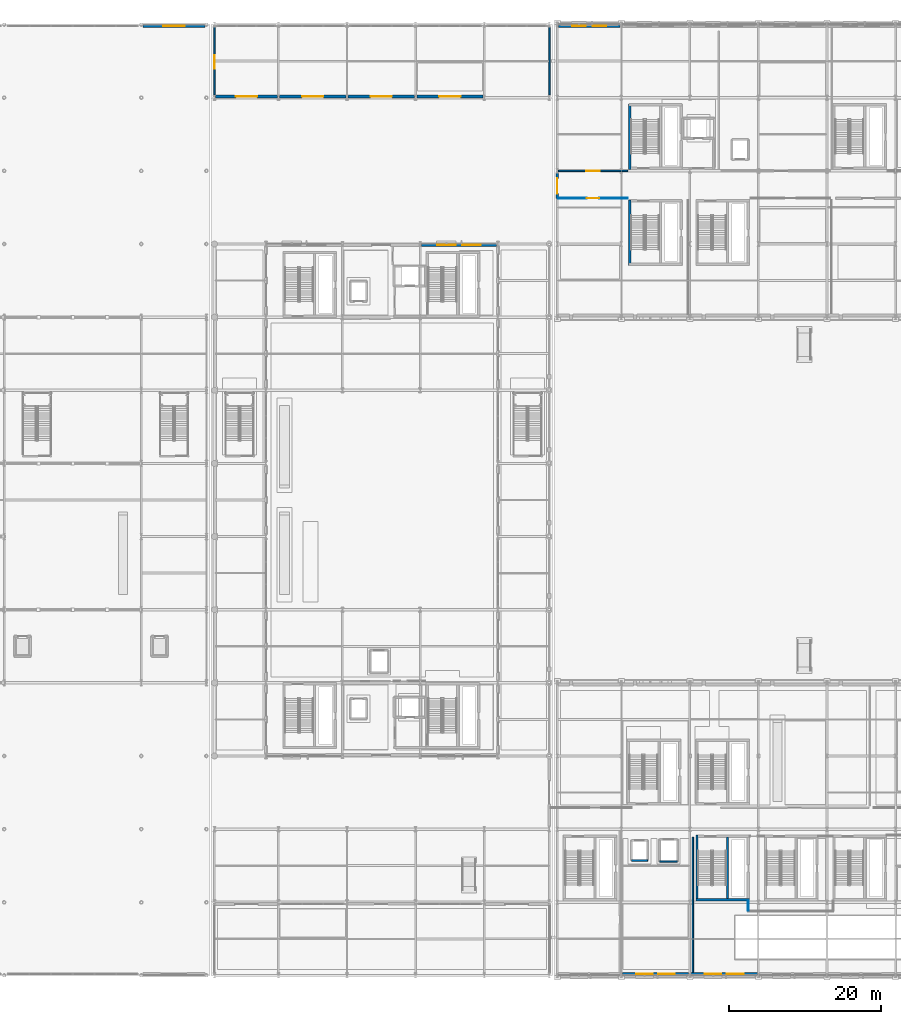
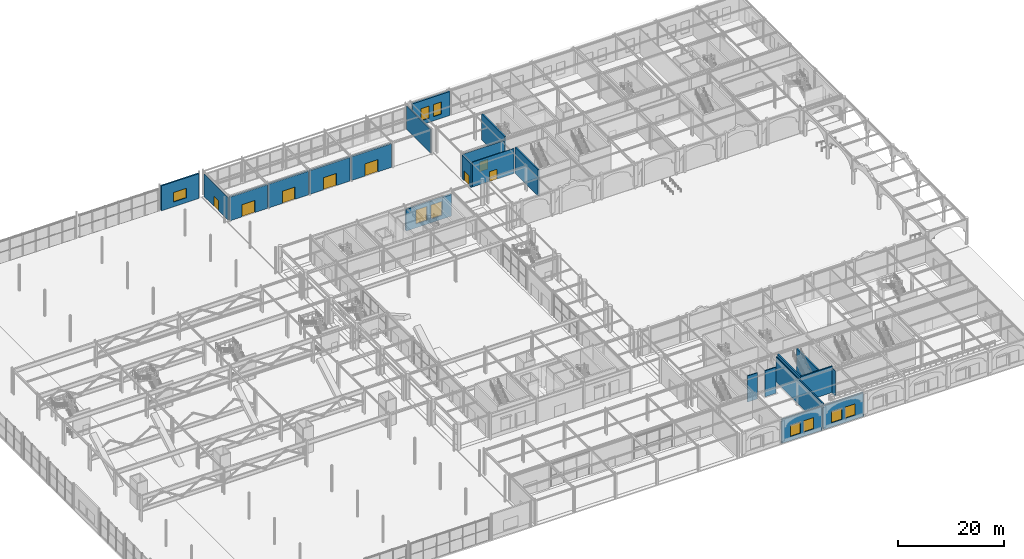
# One storey, part 64 of 113: 23 walls, 9 windows, 8 doors, 17 openings.
"""IFC4 building model written with IfcOpenShell, lengths in metres."""

from ifc_helpers import new_model, si_unit, direction, frame, frame_2d, origin, place, context, subcontext, project, spatial, rectangle, extrude, material, layer, layer_set, type_object, element, fill, save


model = new_model("IFC4")

# Units and contexts
model_context = context("Model", 3, precision=1e-05, world=origin(), true_north=direction((0.0, 1.0)))
body_context = subcontext(model_context, "Body", "Model", "MODEL_VIEW")
ifc_project = project(units=[si_unit("LENGTHUNIT", "METRE"), si_unit("AREAUNIT", "SQUARE_METRE"), si_unit("VOLUMEUNIT", "CUBIC_METRE"), si_unit("PLANEANGLEUNIT", "RADIAN"), si_unit("MASSUNIT", "GRAM", prefix="KILO")], contexts=[model_context])

# Site, building, storey
site_placement = place(None, origin())
site = spatial("IfcSite", under=ifc_project, at=site_placement, CompositionType="ELEMENT")
building_placement = place(site_placement, origin())
building = spatial("IfcBuilding", under=site, at=building_placement, Name="Myrtia Square Station", CompositionType="ELEMENT")
storey_placement = place(building_placement, origin())
storey = spatial("IfcBuildingStorey", under=building, at=storey_placement, Name="L00", CompositionType="ELEMENT", Elevation=0.0)

# Walls
ifc_material_1 = material(Name="Concrete C35/45", Category="concrete")
ifc_layer_1 = layer(ifc_material_1, 0.300048828125, Name="Concrete C35/45")
ifc_layer_set_1 = layer_set([ifc_layer_1], Name="Concrete C35/45")
wall_type_1 = type_object("IfcWallType", Name="WL-CORE-300", PredefinedType="SHEAR", material=ifc_layer_set_1)
wall_1_placement = place(storey_placement, frame((135.800048828125, 9.925048828125, 0.0), z_axis=(0.0, 0.0, 1.0), x_axis=(1.0, 0.0, 0.0)))
element("IfcWall", 1, at=wall_1_placement, inside=storey, type_object=wall_type_1, Name="Core K6 shear wall L00 S", PredefinedType="SHEAR", context=body_context, shape_type="SweptSolid", body=[
    extrude(rectangle(XDim=7.0, YDim=0.300048828125, at=frame_2d((3.5, 0.0))), origin(), (0.0, 0.0, 1.0), 6.0),
])
wall_2_placement = place(storey_placement, frame((135.925048828125, 9.800048828125, 0.0), z_axis=(0.0, 0.0, 1.0), x_axis=(0.0, 1.0, 0.0)))
element("IfcWall", 2, at=wall_2_placement, inside=storey, type_object=wall_type_1, Name="Core K6 shear wall L00 W", PredefinedType="SHEAR", context=body_context, shape_type="SweptSolid", body=[
    extrude(rectangle(XDim=8.599853515625, YDim=0.300048828125, at=frame_2d((4.2998046875, 0.0))), origin(), (0.0, 0.0, 1.0), 6.0),
])
wall_3_placement = place(storey_placement, frame((139.93994140625, 10.0, 0.0), z_axis=(0.0, 0.0, 1.0), x_axis=(0.0, 1.0, 0.0)))
element("IfcWall", 3, at=wall_3_placement, inside=storey, type_object=wall_type_1, Name="Core K6 shear wall L00 D", PredefinedType="SHEAR", context=body_context, shape_type="SweptSolid", body=[
    extrude(rectangle(XDim=8.199951171875, YDim=0.300048828125, at=frame_2d((4.10009765625, 0.0))), origin(), (0.0, 0.0, 1.0), 6.0),
])
wall_4_placement = place(storey_placement, frame((127.125, 105.800048828125, 0.0), z_axis=(0.0, 0.0, 1.0), x_axis=(0.0, 1.0, 0.0)))
element("IfcWall", 4, at=wall_4_placement, inside=storey, type_object=wall_type_1, Name="Core K7 shear wall L00 W", PredefinedType="SHEAR", context=body_context, shape_type="SweptSolid", body=[
    extrude(rectangle(XDim=8.599853515625, YDim=0.300048828125, at=frame_2d((4.2998046875, 0.0))), origin(), (0.0, 0.0, 1.0), 6.0),
])
wall_5_placement = place(storey_placement, frame((127.125, 93.199951171875, 0.0), z_axis=(0.0, 0.0, 1.0), x_axis=(0.0, 1.0, 0.0)))
element("IfcWall", 5, at=wall_5_placement, inside=storey, type_object=wall_type_1, Name="Core K12 shear wall L00 W", PredefinedType="SHEAR", context=body_context, shape_type="SweptSolid", body=[
    extrude(rectangle(XDim=8.60009765625, YDim=0.300048828125, at=frame_2d((4.300048828125, 0.0))), origin(), (0.0, 0.0, 1.0), 6.0),
])

# Wall, opening, door
ifc_material_2 = material(Name="Pentelic marble ashlar", Category="masonry")
ifc_layer_2 = layer(ifc_material_2, 0.3798828125, Name="Pentelic marble ashlar")
ifc_layer_set_2 = layer_set([ifc_layer_2], Name="Pentelic marble ashlar")
wall_type_2 = type_object("IfcWallType", Name="WL-EXT-ASHLAR-380", PredefinedType="SOLIDWALL", material=ifc_layer_set_2)
wall_6_placement = place(storey_placement, frame((72.7548828125, 115.35009765625, 0.0), z_axis=(0.0, 0.0, 1.0), x_axis=(1.0, 0.0, 0.0)))
wall_6 = element("IfcWall", 6, at=wall_6_placement, inside=storey, type_object=wall_type_2, Name="Exterior envelope wall EW-L00-0140", PredefinedType="SOLIDWALL", context=body_context, shape_type="SweptSolid", body=[
    extrude(rectangle(XDim=8.090087890625, YDim=0.3798828125, at=frame_2d((4.044921875, 0.0))), origin(), (0.0, 0.0, 1.0), 5.43505859375),
])
opening_1_placement = place(wall_6_placement, frame((2.64501953125, 0.0, 0.0)))
opening_1 = element("IfcOpeningElement", 7, at=opening_1_placement, cuts=wall_6, Name="Opening ED-035", PredefinedType="OPENING", context=body_context, shape_type="SweptSolid", body=[
    extrude(rectangle(XDim=2.800048828125, YDim=2.800048828125, at=frame_2d((1.39990234375, 1.39990234375))), frame((0.0, 0.204833984375, 0.0), z_axis=(0.0, -1.0, 0.0), x_axis=(1.0, 0.0, 0.0)), (0.0, 0.0, 1.0), 0.409912109375),
])
ifc_material_3 = material(Name="Dark bronze anodised aluminium", Category="aluminium")
door_type_1 = type_object("IfcDoorType", Name="DR-MAIN-2800x2800", OperationType="NOTDEFINED", PredefinedType="DOOR", material=ifc_material_3)
door_1_placement = place(opening_1_placement, frame((2.800048828125, 0.0, 0.0), z_axis=(0.0, 0.0, 1.0), x_axis=(-1.0, 0.0, 0.0)))
door_1 = element("IfcDoor", 8, at=door_1_placement, inside=storey, type_object=door_type_1, Name="Pedestrian exit door ED-035", OperationType="DOUBLE_DOOR_SINGLE_SWING", OverallHeight=2.800048828125, OverallWidth=2.800048828125, PredefinedType="DOOR", context=body_context, shape_type="SweptSolid", body=[
    extrude(rectangle(XDim=2.800048828125, YDim=2.800048828125, at=frame_2d((1.39990234375, 1.39990234375))), frame((0.0, 0.02490234375, 0.0), z_axis=(0.0, -1.0, 0.0), x_axis=(1.0, 0.0, 0.0)), (0.0, 0.0, 1.0), 0.050048828125),
])
fill(opening_1, door_1)

wall_7_placement = place(storey_placement, frame((81.155029296875, 115.35009765625, 0.0), z_axis=(0.0, 0.0, 1.0), x_axis=(1.0, 0.0, 0.0)))
wall_7 = element("IfcWall", 9, at=wall_7_placement, inside=storey, type_object=wall_type_2, Name="Exterior envelope wall EW-L00-0141", PredefinedType="SOLIDWALL", context=body_context, shape_type="SweptSolid", body=[
    extrude(rectangle(XDim=8.68994140625, YDim=0.3798828125, at=frame_2d((4.344970703125, 0.0))), origin(), (0.0, 0.0, 1.0), 5.43505859375),
])
opening_2_placement = place(wall_7_placement, frame((2.945068359375, 0.0, 0.0)))
opening_2 = element("IfcOpeningElement", 10, at=opening_2_placement, cuts=wall_7, Name="Opening ED-036", PredefinedType="OPENING", context=body_context, shape_type="SweptSolid", body=[
    extrude(rectangle(XDim=2.800048828125, YDim=2.800048828125, at=frame_2d((1.39990234375, 1.39990234375))), frame((0.0, 0.204833984375, 0.0), z_axis=(0.0, -1.0, 0.0), x_axis=(1.0, 0.0, 0.0)), (0.0, 0.0, 1.0), 0.409912109375),
])
door_2_placement = place(opening_2_placement, frame((2.800048828125, 0.0, 0.0), z_axis=(0.0, 0.0, 1.0), x_axis=(-1.0, 0.0, 0.0)))
door_2 = element("IfcDoor", 11, at=door_2_placement, inside=storey, type_object=door_type_1, Name="Pedestrian exit door ED-036", OperationType="DOUBLE_DOOR_SINGLE_SWING", OverallHeight=2.800048828125, OverallWidth=2.800048828125, PredefinedType="DOOR", context=body_context, shape_type="SweptSolid", body=[
    extrude(rectangle(XDim=2.800048828125, YDim=2.800048828125, at=frame_2d((1.39990234375, 1.39990234375))), frame((0.0, 0.02490234375, 0.0), z_axis=(0.0, -1.0, 0.0), x_axis=(1.0, 0.0, 0.0)), (0.0, 0.0, 1.0), 0.050048828125),
])
fill(opening_2, door_2)

wall_8_placement = place(storey_placement, frame((90.155029296875, 115.35009765625, 0.0), z_axis=(0.0, 0.0, 1.0), x_axis=(1.0, 0.0, 0.0)))
wall_8 = element("IfcWall", 12, at=wall_8_placement, inside=storey, type_object=wall_type_2, Name="Exterior envelope wall EW-L00-0142", PredefinedType="SOLIDWALL", context=body_context, shape_type="SweptSolid", body=[
    extrude(rectangle(XDim=8.68994140625, YDim=0.3798828125, at=frame_2d((4.344970703125, 0.0))), origin(), (0.0, 0.0, 1.0), 5.43505859375),
])
opening_3_placement = place(wall_8_placement, frame((2.945068359375, 0.0, 0.0)))
opening_3 = element("IfcOpeningElement", 13, at=opening_3_placement, cuts=wall_8, Name="Opening ED-037", PredefinedType="OPENING", context=body_context, shape_type="SweptSolid", body=[
    extrude(rectangle(XDim=2.800048828125, YDim=2.800048828125, at=frame_2d((1.39990234375, 1.39990234375))), frame((0.0, 0.204833984375, 0.0), z_axis=(0.0, -1.0, 0.0), x_axis=(1.0, 0.0, 0.0)), (0.0, 0.0, 1.0), 0.409912109375),
])
door_3_placement = place(opening_3_placement, frame((2.800048828125, 0.0, 0.0), z_axis=(0.0, 0.0, 1.0), x_axis=(-1.0, 0.0, 0.0)))
door_3 = element("IfcDoor", 14, at=door_3_placement, inside=storey, type_object=door_type_1, Name="Pedestrian exit door ED-037", OperationType="DOUBLE_DOOR_SINGLE_SWING", OverallHeight=2.800048828125, OverallWidth=2.800048828125, PredefinedType="DOOR", context=body_context, shape_type="SweptSolid", body=[
    extrude(rectangle(XDim=2.800048828125, YDim=2.800048828125, at=frame_2d((1.39990234375, 1.39990234375))), frame((0.0, 0.02490234375, 0.0), z_axis=(0.0, -1.0, 0.0), x_axis=(1.0, 0.0, 0.0)), (0.0, 0.0, 1.0), 0.050048828125),
])
fill(opening_3, door_3)

wall_9_placement = place(storey_placement, frame((99.155029296875, 115.35009765625, 0.0), z_axis=(0.0, 0.0, 1.0), x_axis=(1.0, 0.0, 0.0)))
wall_9 = element("IfcWall", 15, at=wall_9_placement, inside=storey, type_object=wall_type_2, Name="Exterior envelope wall EW-L00-0143", PredefinedType="SOLIDWALL", context=body_context, shape_type="SweptSolid", body=[
    extrude(rectangle(XDim=8.68994140625, YDim=0.3798828125, at=frame_2d((4.344970703125, 0.0))), origin(), (0.0, 0.0, 1.0), 5.43505859375),
])
opening_4_placement = place(wall_9_placement, frame((2.945068359375, 0.0, 0.0)))
opening_4 = element("IfcOpeningElement", 16, at=opening_4_placement, cuts=wall_9, Name="Opening ED-038", PredefinedType="OPENING", context=body_context, shape_type="SweptSolid", body=[
    extrude(rectangle(XDim=2.800048828125, YDim=2.800048828125, at=frame_2d((1.39990234375, 1.39990234375))), frame((0.0, 0.204833984375, 0.0), z_axis=(0.0, -1.0, 0.0), x_axis=(1.0, 0.0, 0.0)), (0.0, 0.0, 1.0), 0.409912109375),
])
door_4_placement = place(opening_4_placement, frame((2.800048828125, 0.0, 0.0), z_axis=(0.0, 0.0, 1.0), x_axis=(-1.0, 0.0, 0.0)))
door_4 = element("IfcDoor", 17, at=door_4_placement, inside=storey, type_object=door_type_1, Name="Pedestrian exit door ED-038", OperationType="DOUBLE_DOOR_SINGLE_SWING", OverallHeight=2.800048828125, OverallWidth=2.800048828125, PredefinedType="DOOR", context=body_context, shape_type="SweptSolid", body=[
    extrude(rectangle(XDim=2.800048828125, YDim=2.800048828125, at=frame_2d((1.39990234375, 1.39990234375))), frame((0.0, 0.02490234375, 0.0), z_axis=(0.0, -1.0, 0.0), x_axis=(1.0, 0.0, 0.0)), (0.0, 0.0, 1.0), 0.050048828125),
])
fill(opening_4, door_4)

# Wall, opening, window
ifc_material_4 = material(Name="Precast concrete C40/50", Category="concrete")
ifc_layer_3 = layer(ifc_material_4, 0.320068359375, Name="Precast concrete C40/50")
ifc_layer_set_3 = layer_set([ifc_layer_3], Name="Precast concrete C40/50")
wall_type_3 = type_object("IfcWallType", Name="WL-EXT-RC-320", PredefinedType="SOLIDWALL", material=ifc_layer_set_3)
wall_10_placement = place(storey_placement, frame((63.2080078125, 124.60009765625, 0.0), z_axis=(0.0, 0.0, 1.0), x_axis=(1.0, 0.0, 0.0)))
wall_10 = element("IfcWall", 18, at=wall_10_placement, inside=storey, type_object=wall_type_3, Name="Exterior envelope wall EW-L00-0024", PredefinedType="SOLIDWALL", context=body_context, shape_type="SweptSolid", body=[
    extrude(rectangle(XDim=8.134033203125, YDim=0.320068359375, at=frame_2d((4.06689453125, 0.0))), origin(), (0.0, 0.0, 1.0), 5.719970703125),
])
opening_5_placement = place(wall_10_placement, frame((2.6669921875, 0.0, 1.10009765625)))
opening_5 = element("IfcOpeningElement", 19, at=opening_5_placement, cuts=wall_10, Name="Opening WN-020", PredefinedType="OPENING", context=body_context, shape_type="SweptSolid", body=[
    extrude(rectangle(XDim=2.800048828125, YDim=2.199951171875, at=frame_2d((1.39990234375, 1.10009765625))), frame((0.0, 0.175048828125, 0.0), z_axis=(0.0, -1.0, 0.0), x_axis=(1.0, 0.0, 0.0)), (0.0, 0.0, 1.0), 0.35009765625),
])
ifc_material_5 = material(Name="Tinted low-E solar control glass", Category="glass")
window_type_1 = type_object("IfcWindowType", Name="WN-SHED-2800x2200", PartitioningType="SINGLE_PANEL", PredefinedType="WINDOW", material=ifc_material_5)
window_1_placement = place(opening_5_placement, origin())
window_1 = element("IfcWindow", 20, at=window_1_placement, inside=storey, type_object=window_type_1, Name="Window WN-020", OverallHeight=2.199951171875, OverallWidth=2.800048828125, PartitioningType="SINGLE_PANEL", PredefinedType="WINDOW", context=body_context, shape_type="SweptSolid", body=[
    extrude(rectangle(XDim=2.800048828125, YDim=2.199951171875, at=frame_2d((1.39990234375, 1.10009765625))), frame((0.0, 0.030029296875, 0.0), z_axis=(0.0, -1.0, 0.0), x_axis=(1.0, 0.0, 0.0)), (0.0, 0.0, 1.0), 0.06005859375),
])
fill(opening_5, window_1)

# Wall, opening, door
ifc_material_6 = material(Name="Cream lime stucco on clay brick masonry", Category="masonry")
ifc_layer_4 = layer(ifc_material_6, 0.340087890625, Name="Cream lime stucco on clay brick masonry")
ifc_layer_set_4 = layer_set([ifc_layer_4], Name="Cream lime stucco on clay brick masonry")
wall_type_4 = type_object("IfcWallType", Name="WL-EXT-STUCCO-340", PredefinedType="SOLIDWALL", material=ifc_layer_set_4)
wall_11_placement = place(storey_placement, frame((117.60009765625, 101.949951171875, 0.0), z_axis=(0.0, 0.0, 1.0), x_axis=(0.0, 1.0, 0.0)))
wall_11 = element("IfcWall", 21, at=wall_11_placement, inside=storey, type_object=wall_type_4, Name="Exterior envelope wall EW-L00-0135", PredefinedType="SOLIDWALL", context=body_context, shape_type="SweptSolid", body=[
    extrude(rectangle(XDim=3.344970703125, YDim=0.340087890625, at=frame_2d((1.67236328125, 0.0))), origin(), (0.0, 0.0, 1.0), 5.429931640625),
])
opening_6_placement = place(wall_11_placement, frame((0.672119140625, 0.0, 0.0)))
opening_6 = element("IfcOpeningElement", 22, at=opening_6_placement, cuts=wall_11, Name="Opening ED-034", PredefinedType="OPENING", context=body_context, shape_type="SweptSolid", body=[
    extrude(rectangle(XDim=2.0, YDim=2.300048828125, at=frame_2d((1.0, 1.14990234375))), frame((0.0, 0.18505859375, 0.0), z_axis=(0.0, -1.0, 0.0), x_axis=(1.0, 0.0, 0.0)), (0.0, 0.0, 1.0), 0.3701171875),
])
door_type_2 = type_object("IfcDoorType", Name="DR-EXIT-2000x2300", OperationType="NOTDEFINED", PredefinedType="DOOR", material=ifc_material_3)
door_5_placement = place(opening_6_placement, origin())
door_5 = element("IfcDoor", 23, at=door_5_placement, inside=storey, type_object=door_type_2, Name="Pedestrian exit door ED-034", OperationType="DOUBLE_DOOR_SINGLE_SWING", OverallHeight=2.300048828125, OverallWidth=2.0, PredefinedType="DOOR", context=body_context, shape_type="SweptSolid", body=[
    extrude(rectangle(XDim=2.0, YDim=2.300048828125, at=frame_2d((1.0, 1.14990234375))), frame((0.0, 0.02490234375, 0.0), z_axis=(0.0, -1.0, 0.0), x_axis=(1.0, 0.0, 0.0)), (0.0, 0.0, 1.0), 0.050048828125),
])
fill(opening_6, door_5)

# Wall, openings, windows
ifc_layer_5 = layer(ifc_material_6, 0.360107421875, Name="Cream lime stucco on clay brick masonry")
ifc_layer_set_5 = layer_set([ifc_layer_5], Name="Cream lime stucco on clay brick masonry")
wall_type_5 = type_object("IfcWallType", Name="WL-EXT-STUCCO-360", PredefinedType="SOLIDWALL", material=ifc_layer_set_5)
wall_12_placement = place(storey_placement, frame((99.7548828125, 95.85009765625, 0.0), z_axis=(0.0, 0.0, 1.0), x_axis=(1.0, 0.0, 0.0)))
wall_12 = element("IfcWall", 24, at=wall_12_placement, inside=storey, type_object=wall_type_5, Name="Exterior envelope wall EW-L00-0018", PredefinedType="SOLIDWALL", context=body_context, shape_type="SweptSolid", body=[
    extrude(rectangle(XDim=9.89013671875, YDim=0.360107421875, at=frame_2d((4.945068359375, 0.0))), origin(), (0.0, 0.0, 1.0), 4.919921875),
])
opening_7_placement = place(wall_12_placement, frame((2.096923828125, 0.0, 0.89990234375)))
opening_7 = element("IfcOpeningElement", 25, at=opening_7_placement, cuts=wall_12, Name="Opening WN-011", PredefinedType="OPENING", context=body_context, shape_type="SweptSolid", body=[
    extrude(rectangle(XDim=2.39990234375, YDim=3.199951171875, at=frame_2d((1.199951171875, 1.60009765625))), frame((0.0, 0.195068359375, 0.0), z_axis=(0.0, -1.0, 0.0), x_axis=(1.0, 0.0, 0.0)), (0.0, 0.0, 1.0), 0.39013671875),
])
opening_8_placement = place(wall_12_placement, frame((5.39306640625, 0.0, 0.89990234375)))
opening_8 = element("IfcOpeningElement", 26, at=opening_8_placement, cuts=wall_12, Name="Opening WN-012", PredefinedType="OPENING", context=body_context, shape_type="SweptSolid", body=[
    extrude(rectangle(XDim=2.39990234375, YDim=3.199951171875, at=frame_2d((1.199951171875, 1.60009765625))), frame((0.0, 0.195068359375, 0.0), z_axis=(0.0, -1.0, 0.0), x_axis=(1.0, 0.0, 0.0)), (0.0, 0.0, 1.0), 0.39013671875),
])
window_type_2 = type_object("IfcWindowType", Name="WN-ARCH-2400x3200", PartitioningType="SINGLE_PANEL", PredefinedType="WINDOW", material=ifc_material_5)
window_2_placement = place(opening_7_placement, origin())
window_2 = element("IfcWindow", 27, at=window_2_placement, inside=storey, type_object=window_type_2, Name="Window WN-011", OverallHeight=3.199951171875, OverallWidth=2.39990234375, PartitioningType="SINGLE_PANEL", PredefinedType="WINDOW", context=body_context, shape_type="SweptSolid", body=[
    extrude(rectangle(XDim=2.39990234375, YDim=3.199951171875, at=frame_2d((1.199951171875, 1.60009765625))), frame((0.0, 0.030029296875, 0.0), z_axis=(0.0, -1.0, 0.0), x_axis=(1.0, 0.0, 0.0)), (0.0, 0.0, 1.0), 0.06005859375),
])
fill(opening_7, window_2)
window_3_placement = place(opening_8_placement, origin())
window_3 = element("IfcWindow", 28, at=window_3_placement, inside=storey, type_object=window_type_2, Name="Window WN-012", OverallHeight=3.199951171875, OverallWidth=2.39990234375, PartitioningType="SINGLE_PANEL", PredefinedType="WINDOW", context=body_context, shape_type="SweptSolid", body=[
    extrude(rectangle(XDim=2.39990234375, YDim=3.199951171875, at=frame_2d((1.199951171875, 1.60009765625))), frame((0.0, 0.030029296875, 0.0), z_axis=(0.0, -1.0, 0.0), x_axis=(1.0, 0.0, 0.0)), (0.0, 0.0, 1.0), 0.06005859375),
])
fill(opening_8, window_3)

wall_13_placement = place(storey_placement, frame((126.155029296875, 0.199951171875, 0.0), z_axis=(0.0, 0.0, 1.0), x_axis=(1.0, 0.0, 0.0)))
wall_13 = element("IfcWall", 29, at=wall_13_placement, inside=storey, type_object=wall_type_5, Name="Exterior envelope wall EW-L00-0041", PredefinedType="SOLIDWALL", context=body_context, shape_type="SweptSolid", body=[
    extrude(rectangle(XDim=8.68994140625, YDim=0.360107421875, at=frame_2d((4.344970703125, 0.0))), origin(), (0.0, 0.0, 1.0), 5.489990234375),
])
opening_9_placement = place(wall_13_placement, frame((1.797119140625, 0.0, 0.949951171875)))
opening_9 = element("IfcOpeningElement", 30, at=opening_9_placement, cuts=wall_13, Name="Opening WN-023", PredefinedType="OPENING", context=body_context, shape_type="SweptSolid", body=[
    extrude(rectangle(XDim=2.199951171875, YDim=2.60009765625, at=frame_2d((1.10009765625, 1.300048828125))), frame((0.0, 0.195068359375, 0.0), z_axis=(0.0, -1.0, 0.0), x_axis=(1.0, 0.0, 0.0)), (0.0, 0.0, 1.0), 0.39013671875),
])
opening_10_placement = place(wall_13_placement, frame((4.693115234375, 0.0, 0.949951171875)))
opening_10 = element("IfcOpeningElement", 31, at=opening_10_placement, cuts=wall_13, Name="Opening WN-024", PredefinedType="OPENING", context=body_context, shape_type="SweptSolid", body=[
    extrude(rectangle(XDim=2.199951171875, YDim=2.60009765625, at=frame_2d((1.10009765625, 1.300048828125))), frame((0.0, 0.195068359375, 0.0), z_axis=(0.0, -1.0, 0.0), x_axis=(1.0, 0.0, 0.0)), (0.0, 0.0, 1.0), 0.39013671875),
])
window_type_3 = type_object("IfcWindowType", Name="WN-RET-2200x2600", PartitioningType="SINGLE_PANEL", PredefinedType="WINDOW", material=ifc_material_5)
window_4_placement = place(opening_9_placement, origin())
window_4 = element("IfcWindow", 32, at=window_4_placement, inside=storey, type_object=window_type_3, Name="Window WN-023", OverallHeight=2.60009765625, OverallWidth=2.199951171875, PartitioningType="SINGLE_PANEL", PredefinedType="WINDOW", context=body_context, shape_type="SweptSolid", body=[
    extrude(rectangle(XDim=2.199951171875, YDim=2.60009765625, at=frame_2d((1.10009765625, 1.300048828125))), frame((0.0, 0.030029296875, 0.0), z_axis=(0.0, -1.0, 0.0), x_axis=(1.0, 0.0, 0.0)), (0.0, 0.0, 1.0), 0.06005859375),
])
fill(opening_9, window_4)
window_5_placement = place(opening_10_placement, origin())
window_5 = element("IfcWindow", 33, at=window_5_placement, inside=storey, type_object=window_type_3, Name="Window WN-024", OverallHeight=2.60009765625, OverallWidth=2.199951171875, PartitioningType="SINGLE_PANEL", PredefinedType="WINDOW", context=body_context, shape_type="SweptSolid", body=[
    extrude(rectangle(XDim=2.199951171875, YDim=2.60009765625, at=frame_2d((1.10009765625, 1.300048828125))), frame((0.0, 0.030029296875, 0.0), z_axis=(0.0, -1.0, 0.0), x_axis=(1.0, 0.0, 0.0)), (0.0, 0.0, 1.0), 0.06005859375),
])
fill(opening_10, window_5)

wall_14_placement = place(storey_placement, frame((135.155029296875, 0.199951171875, 0.0), z_axis=(0.0, 0.0, 1.0), x_axis=(1.0, 0.0, 0.0)))
wall_14 = element("IfcWall", 34, at=wall_14_placement, inside=storey, type_object=wall_type_5, Name="Exterior envelope wall EW-L00-0042", PredefinedType="SOLIDWALL", context=body_context, shape_type="SweptSolid", body=[
    extrude(rectangle(XDim=8.68994140625, YDim=0.360107421875, at=frame_2d((4.344970703125, 0.0))), origin(), (0.0, 0.0, 1.0), 5.489990234375),
])
opening_11_placement = place(wall_14_placement, frame((1.797119140625, 0.0, 0.949951171875)))
opening_11 = element("IfcOpeningElement", 35, at=opening_11_placement, cuts=wall_14, Name="Opening WN-025", PredefinedType="OPENING", context=body_context, shape_type="SweptSolid", body=[
    extrude(rectangle(XDim=2.199951171875, YDim=2.60009765625, at=frame_2d((1.10009765625, 1.300048828125))), frame((0.0, 0.195068359375, 0.0), z_axis=(0.0, -1.0, 0.0), x_axis=(1.0, 0.0, 0.0)), (0.0, 0.0, 1.0), 0.39013671875),
])
opening_12_placement = place(wall_14_placement, frame((4.693115234375, 0.0, 0.949951171875)))
opening_12 = element("IfcOpeningElement", 36, at=opening_12_placement, cuts=wall_14, Name="Opening WN-026", PredefinedType="OPENING", context=body_context, shape_type="SweptSolid", body=[
    extrude(rectangle(XDim=2.199951171875, YDim=2.60009765625, at=frame_2d((1.10009765625, 1.300048828125))), frame((0.0, 0.195068359375, 0.0), z_axis=(0.0, -1.0, 0.0), x_axis=(1.0, 0.0, 0.0)), (0.0, 0.0, 1.0), 0.39013671875),
])
window_6_placement = place(opening_11_placement, origin())
window_6 = element("IfcWindow", 37, at=window_6_placement, inside=storey, type_object=window_type_3, Name="Window WN-025", OverallHeight=2.60009765625, OverallWidth=2.199951171875, PartitioningType="SINGLE_PANEL", PredefinedType="WINDOW", context=body_context, shape_type="SweptSolid", body=[
    extrude(rectangle(XDim=2.199951171875, YDim=2.60009765625, at=frame_2d((1.10009765625, 1.300048828125))), frame((0.0, 0.030029296875, 0.0), z_axis=(0.0, -1.0, 0.0), x_axis=(1.0, 0.0, 0.0)), (0.0, 0.0, 1.0), 0.06005859375),
])
fill(opening_11, window_6)
window_7_placement = place(opening_12_placement, origin())
window_7 = element("IfcWindow", 38, at=window_7_placement, inside=storey, type_object=window_type_3, Name="Window WN-026", OverallHeight=2.60009765625, OverallWidth=2.199951171875, PartitioningType="SINGLE_PANEL", PredefinedType="WINDOW", context=body_context, shape_type="SweptSolid", body=[
    extrude(rectangle(XDim=2.199951171875, YDim=2.60009765625, at=frame_2d((1.10009765625, 1.300048828125))), frame((0.0, 0.030029296875, 0.0), z_axis=(0.0, -1.0, 0.0), x_axis=(1.0, 0.0, 0.0)), (0.0, 0.0, 1.0), 0.06005859375),
])
fill(opening_12, window_7)

wall_15_placement = place(storey_placement, frame((117.7548828125, 124.60009765625, 0.0), z_axis=(0.0, 0.0, 1.0), x_axis=(1.0, 0.0, 0.0)))
wall_15 = element("IfcWall", 39, at=wall_15_placement, inside=storey, type_object=wall_type_5, Name="Exterior envelope wall EW-L00-0096", PredefinedType="SOLIDWALL", context=body_context, shape_type="SweptSolid", body=[
    extrude(rectangle(XDim=8.090087890625, YDim=0.360107421875, at=frame_2d((4.044921875, 0.0))), origin(), (0.0, 0.0, 1.0), 5.489990234375),
])
opening_13_placement = place(wall_15_placement, frame((1.797119140625, 0.0, 0.949951171875)))
opening_13 = element("IfcOpeningElement", 40, at=opening_13_placement, cuts=wall_15, Name="Opening WN-085", PredefinedType="OPENING", context=body_context, shape_type="SweptSolid", body=[
    extrude(rectangle(XDim=1.800048828125, YDim=2.800048828125, at=frame_2d((0.89990234375, 1.39990234375))), frame((0.0, 0.195068359375, 0.0), z_axis=(0.0, -1.0, 0.0), x_axis=(1.0, 0.0, 0.0)), (0.0, 0.0, 1.0), 0.39013671875),
])
opening_14_placement = place(wall_15_placement, frame((4.492919921875, 0.0, 0.949951171875)))
opening_14 = element("IfcOpeningElement", 41, at=opening_14_placement, cuts=wall_15, Name="Opening WN-086", PredefinedType="OPENING", context=body_context, shape_type="SweptSolid", body=[
    extrude(rectangle(XDim=1.800048828125, YDim=2.800048828125, at=frame_2d((0.89990234375, 1.39990234375))), frame((0.0, 0.195068359375, 0.0), z_axis=(0.0, -1.0, 0.0), x_axis=(1.0, 0.0, 0.0)), (0.0, 0.0, 1.0), 0.39013671875),
])
window_type_4 = type_object("IfcWindowType", Name="WN-ARCH-1800x2800", PartitioningType="SINGLE_PANEL", PredefinedType="WINDOW", material=ifc_material_5)
window_8_placement = place(opening_13_placement, origin())
window_8 = element("IfcWindow", 42, at=window_8_placement, inside=storey, type_object=window_type_4, Name="Window WN-085", OverallHeight=2.800048828125, OverallWidth=1.800048828125, PartitioningType="SINGLE_PANEL", PredefinedType="WINDOW", context=body_context, shape_type="SweptSolid", body=[
    extrude(rectangle(XDim=1.800048828125, YDim=2.800048828125, at=frame_2d((0.89990234375, 1.39990234375))), frame((0.0, 0.030029296875, 0.0), z_axis=(0.0, -1.0, 0.0), x_axis=(1.0, 0.0, 0.0)), (0.0, 0.0, 1.0), 0.06005859375),
])
fill(opening_13, window_8)
window_9_placement = place(opening_14_placement, origin())
window_9 = element("IfcWindow", 43, at=window_9_placement, inside=storey, type_object=window_type_4, Name="Window WN-086", OverallHeight=2.800048828125, OverallWidth=1.800048828125, PartitioningType="SINGLE_PANEL", PredefinedType="WINDOW", context=body_context, shape_type="SweptSolid", body=[
    extrude(rectangle(XDim=1.800048828125, YDim=2.800048828125, at=frame_2d((0.89990234375, 1.39990234375))), frame((0.0, 0.030029296875, 0.0), z_axis=(0.0, -1.0, 0.0), x_axis=(1.0, 0.0, 0.0)), (0.0, 0.0, 1.0), 0.06005859375),
])
fill(opening_14, window_9)

# Walls
ifc_layer_6 = layer(ifc_material_1, 0.219970703125, Name="Concrete C35/45")
ifc_layer_set_6 = layer_set([ifc_layer_6], Name="Concrete C35/45")
wall_type_6 = type_object("IfcWallType", Name="WL-LIFT-220", PredefinedType="SHEAR", material=ifc_layer_set_6)
wall_16_placement = place(storey_placement, frame((127.340087890625, 15.090087890625, 0.0), z_axis=(0.0, 0.0, 1.0), x_axis=(1.0, 0.0, 0.0)))
element("IfcWall", 44, at=wall_16_placement, inside=storey, type_object=wall_type_6, Name="Lift shaft wall PL-07 L00 -Y", PredefinedType="SHEAR", context=body_context, shape_type="SweptSolid", body=[
    extrude(rectangle(XDim=2.119873046875, YDim=0.219970703125, at=frame_2d((1.06005859375, 0.0))), origin(), (0.0, 0.0, 1.0), 6.0),
])
wall_17_placement = place(storey_placement, frame((131.0400390625, 14.93994140625, 0.0), z_axis=(0.0, 0.0, 1.0), x_axis=(1.0, 0.0, 0.0)))
element("IfcWall", 45, at=wall_17_placement, inside=storey, type_object=wall_type_6, Name="Lift shaft wall GL-02 L00 -Y", PredefinedType="SHEAR", context=body_context, shape_type="SweptSolid", body=[
    extrude(rectangle(XDim=2.320068359375, YDim=0.219970703125, at=frame_2d((1.16015625, 0.0))), origin(), (0.0, 0.0, 1.0), 6.0),
])

# Wall, opening, door
ifc_material_7 = material(Name="Gypsum plasterboard")
ifc_layer_7 = layer(ifc_material_7, 0.125, Name="Gypsum plasterboard")
ifc_layer_set_7 = layer_set([ifc_layer_7], Name="Gypsum plasterboard")
wall_type_7 = type_object("IfcWallType", Name="WL-PART-125", PredefinedType="PARTITIONING", material=ifc_layer_set_7)
wall_18_placement = place(storey_placement, frame((117.75, 102.0, 0.0), z_axis=(0.0, 0.0, 1.0), x_axis=(1.0, 0.0, 0.0)))
wall_18 = element("IfcWall", 46, at=wall_18_placement, inside=storey, type_object=wall_type_7, Name="Interior partition wall L00-18", PredefinedType="PARTITIONING", context=body_context, shape_type="SweptSolid", body=[
    extrude(rectangle(XDim=9.090087890625, YDim=0.125, at=frame_2d((4.544921875, 0.0))), origin(), (0.0, 0.0, 1.0), 5.719970703125),
])
opening_15_placement = place(wall_18_placement, frame((3.7451171875, 0.0, 0.0)))
opening_15 = element("IfcOpeningElement", 47, at=opening_15_placement, cuts=wall_18, Name="Opening D-228", PredefinedType="OPENING", context=body_context, shape_type="SweptSolid", body=[
    extrude(rectangle(XDim=1.60009765625, YDim=2.25, at=frame_2d((0.800048828125, 1.125))), frame((0.0, 0.077392578125, 0.0), z_axis=(0.0, -1.0, 0.0), x_axis=(1.0, 0.0, 0.0)), (0.0, 0.0, 1.0), 0.155029296875),
])
door_type_3 = type_object("IfcDoorType", Name="DR-CORR-1600x2250", OperationType="NOTDEFINED", PredefinedType="DOOR", material=ifc_material_3)
door_6_placement = place(opening_15_placement, origin())
door_6 = element("IfcDoor", 48, at=door_6_placement, inside=storey, type_object=door_type_3, Name="Operations Reception and Pass Office door D-228", OperationType="DOUBLE_DOOR_SINGLE_SWING", OverallHeight=2.25, OverallWidth=1.60009765625, PredefinedType="DOOR", context=body_context, shape_type="SweptSolid", body=[
    extrude(rectangle(XDim=1.60009765625, YDim=2.25, at=frame_2d((0.800048828125, 1.125))), frame((0.0, 0.02490234375, 0.0), z_axis=(0.0, -1.0, 0.0), x_axis=(1.0, 0.0, 0.0)), (0.0, 0.0, 1.0), 0.050048828125),
])
fill(opening_15, door_6)

# Wall
wall_19_placement = place(storey_placement, frame((142.679931640625, 8.469970703125, 0.0), z_axis=(0.0, 0.0, 1.0), x_axis=(0.0, 1.0, 0.0)))
element("IfcWall", 49, at=wall_19_placement, inside=storey, type_object=wall_type_7, Name="Sanitary enclosure partition L00-14", PredefinedType="PARTITIONING", context=body_context, shape_type="SweptSolid", body=[
    extrude(rectangle(XDim=1.300048828125, YDim=0.125, at=frame_2d((0.64990234375, 0.0))), origin(), (0.0, 0.0, 1.0), 5.719970703125),
])

# Wall, opening, door
ifc_layer_8 = layer(ifc_material_6, 0.175048828125, Name="Cream lime stucco on clay brick masonry")
ifc_layer_set_8 = layer_set([ifc_layer_8], Name="Cream lime stucco on clay brick masonry")
wall_type_8 = type_object("IfcWallType", Name="WL-PART-175", PredefinedType="PARTITIONING", material=ifc_layer_set_8)
wall_20_placement = place(storey_placement, frame((117.75, 105.60009765625, 0.0), z_axis=(0.0, 0.0, 1.0), x_axis=(1.0, 0.0, 0.0)))
wall_20 = element("IfcWall", 50, at=wall_20_placement, inside=storey, type_object=wall_type_8, Name="Interior partition wall L00-25", PredefinedType="PARTITIONING", context=body_context, shape_type="SweptSolid", body=[
    extrude(rectangle(XDim=9.090087890625, YDim=0.175048828125, at=frame_2d((4.544921875, 0.0))), origin(), (0.0, 0.0, 1.0), 5.3701171875),
])
opening_16_placement = place(wall_20_placement, frame((3.64501953125, 0.0, 0.0)))
opening_16 = element("IfcOpeningElement", 51, at=opening_16_placement, cuts=wall_20, Name="Opening D-235", PredefinedType="OPENING", context=body_context, shape_type="SweptSolid", body=[
    extrude(rectangle(XDim=1.800048828125, YDim=2.300048828125, at=frame_2d((0.89990234375, 1.14990234375))), frame((0.0, 0.1025390625, 0.0), z_axis=(0.0, -1.0, 0.0), x_axis=(1.0, 0.0, 0.0)), (0.0, 0.0, 1.0), 0.205078125),
])
door_type_4 = type_object("IfcDoorType", Name="DR-CORR-1800x2300", OperationType="NOTDEFINED", PredefinedType="DOOR", material=ifc_material_3)
door_7_placement = place(opening_16_placement, frame((1.800048828125, 0.0, 0.0), z_axis=(0.0, 0.0, 1.0), x_axis=(-1.0, 0.0, 0.0)))
door_7 = element("IfcDoor", 52, at=door_7_placement, inside=storey, type_object=door_type_4, Name="North Wing Crew Dispatch Office door D-235", OperationType="DOUBLE_DOOR_SINGLE_SWING", OverallHeight=2.300048828125, OverallWidth=1.800048828125, PredefinedType="DOOR", context=body_context, shape_type="SweptSolid", body=[
    extrude(rectangle(XDim=1.800048828125, YDim=2.300048828125, at=frame_2d((0.89990234375, 1.14990234375))), frame((0.0, 0.02490234375, 0.0), z_axis=(0.0, -1.0, 0.0), x_axis=(1.0, 0.0, 0.0)), (0.0, 0.0, 1.0), 0.050048828125),
])
fill(opening_16, door_7)

ifc_layer_9 = layer(ifc_material_6, 0.199951171875, Name="Cream lime stucco on clay brick masonry")
ifc_layer_set_9 = layer_set([ifc_layer_9], Name="Cream lime stucco on clay brick masonry")
wall_type_9 = type_object("IfcWallType", Name="WL-PART-200", PredefinedType="PARTITIONING", material=ifc_layer_set_9)
wall_21_placement = place(storey_placement, frame((72.60009765625, 115.52490234375, 0.0), z_axis=(0.0, 0.0, 1.0), x_axis=(0.0, 1.0, 0.0)))
wall_21 = element("IfcWall", 53, at=wall_21_placement, inside=storey, type_object=wall_type_9, Name="Interior partition wall L00-21", PredefinedType="PARTITIONING", context=body_context, shape_type="SweptSolid", body=[
    extrude(rectangle(XDim=8.9501953125, YDim=0.199951171875, at=frame_2d((4.47509765625, 0.0))), origin(), (0.0, 0.0, 1.0), 5.18505859375),
])
opening_17_placement = place(wall_21_placement, frame((3.47509765625, 0.0, 0.0)))
opening_17 = element("IfcOpeningElement", 54, at=opening_17_placement, cuts=wall_21, Name="Opening D-231", PredefinedType="OPENING", context=body_context, shape_type="SweptSolid", body=[
    extrude(rectangle(XDim=1.800048828125, YDim=2.300048828125, at=frame_2d((0.89990234375, 1.14990234375))), frame((0.0, 0.114990234375, 0.0), z_axis=(0.0, -1.0, 0.0), x_axis=(1.0, 0.0, 0.0)), (0.0, 0.0, 1.0), 0.22998046875),
])
door_8_placement = place(opening_17_placement, origin())
door_8 = element("IfcDoor", 55, at=door_8_placement, inside=storey, type_object=door_type_4, Name="North Link Operations Passage Office door D-231", OperationType="DOUBLE_DOOR_SINGLE_SWING", OverallHeight=2.300048828125, OverallWidth=1.800048828125, PredefinedType="DOOR", context=body_context, shape_type="SweptSolid", body=[
    extrude(rectangle(XDim=1.800048828125, YDim=2.300048828125, at=frame_2d((0.89990234375, 1.14990234375))), frame((0.0, 0.02490234375, 0.0), z_axis=(0.0, -1.0, 0.0), x_axis=(1.0, 0.0, 0.0)), (0.0, 0.0, 1.0), 0.050048828125),
])
fill(opening_17, door_8)

# Walls
wall_22_placement = place(storey_placement, frame((135.39990234375, 0.385009765625, 0.0), z_axis=(0.0, 0.0, 1.0), x_axis=(0.0, 1.0, 0.0)))
element("IfcWall", 56, at=wall_22_placement, inside=storey, type_object=wall_type_9, Name="Room divider partition L00-12", PredefinedType="PARTITIONING", context=body_context, shape_type="SweptSolid", body=[
    extrude(rectangle(XDim=17.764892578125, YDim=0.199951171875, at=frame_2d((8.88232421875, 0.0))), origin(), (0.0, 0.0, 1.0), 5.719970703125),
])
wall_23_placement = place(storey_placement, frame((116.60009765625, 115.52490234375, 0.0), z_axis=(0.0, 0.0, 1.0), x_axis=(0.0, 1.0, 0.0)))
element("IfcWall", 57, at=wall_23_placement, inside=storey, type_object=wall_type_9, Name="Room divider partition L00-21", PredefinedType="PARTITIONING", context=body_context, shape_type="SweptSolid", body=[
    extrude(rectangle(XDim=8.9501953125, YDim=0.199951171875, at=frame_2d((4.47509765625, 0.0))), origin(), (0.0, 0.0, 1.0), 5.405029296875),
])

save(model, "model.ifc")
